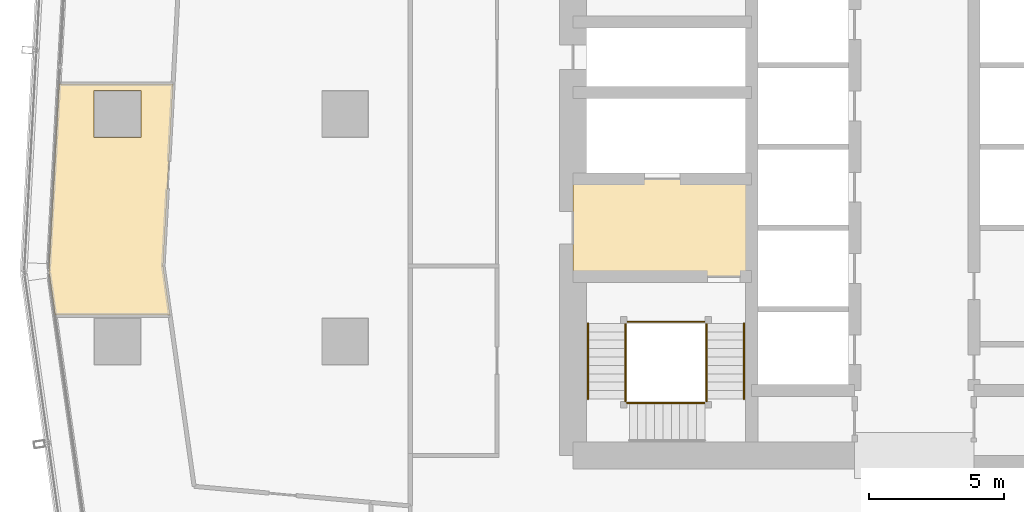
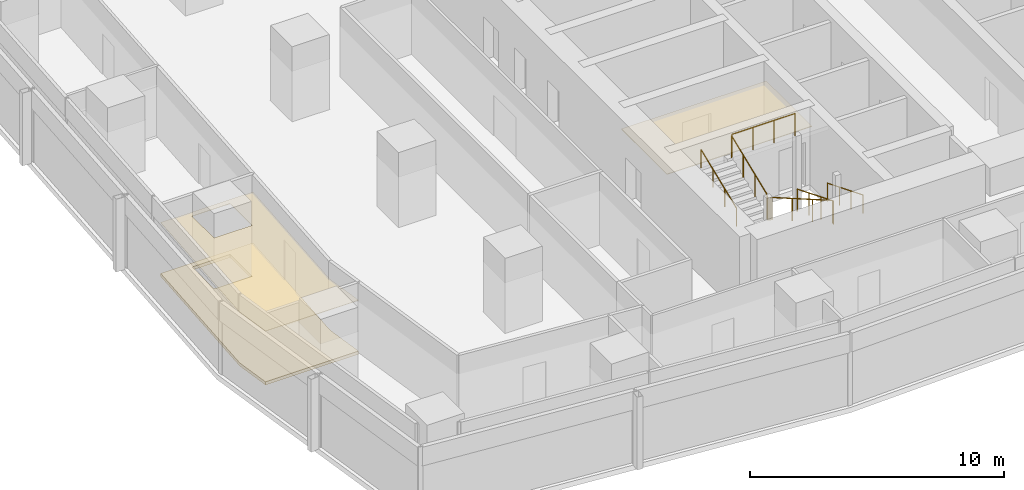
# One storey, part 34 of 40: 9 railings, 3 coverings.
"""IFC4 building model written with IfcOpenShell, lengths in metres."""

from ifc_helpers import new_model, si_unit, direction, frame, origin, origin_2d, place, context, subcontext, project, spatial, polyline, circle, outline, extrude, material, layer, layer_set, type_object, element, save


model = new_model("IFC4")

# Units and contexts
model_context = context("Model", 3, precision=1e-05, world=origin(), true_north=direction((0.0, 1.0)))
body_context = subcontext(model_context, "Body", "Model", "MODEL_VIEW")
ifc_project = project(units=[si_unit("LENGTHUNIT", "METRE"), si_unit("AREAUNIT", "SQUARE_METRE"), si_unit("VOLUMEUNIT", "CUBIC_METRE"), si_unit("PLANEANGLEUNIT", "RADIAN"), si_unit("MASSUNIT", "GRAM", prefix="KILO")], contexts=[model_context])

# Site, building, storey
site_placement = place(None, origin())
site = spatial("IfcSite", under=ifc_project, at=site_placement, CompositionType="ELEMENT")
building_placement = place(site_placement, origin())
building = spatial("IfcBuilding", under=site, at=building_placement, Name="Rekha Terrace Tower", CompositionType="ELEMENT")
storey_placement = place(building_placement, frame((0.0, 0.0, 129.050048828125)))
storey = spatial("IfcBuildingStorey", under=building, at=storey_placement, Name="L32", CompositionType="ELEMENT", Elevation=129.050048828125)

# Coverings
ifc_material_1 = material(Name="Mineral fibre tile in exposed grid", Category="finish")
ifc_layer_1 = layer(ifc_material_1, 0.02001953125)
ifc_layer_set_1 = layer_set([ifc_layer_1], Name="Mineral fibre tile in exposed grid")
covering_type_1 = type_object("IfcCoveringType", Name="CL1 600x1200 office grid ceiling", PredefinedType="CEILING", material=ifc_layer_set_1)
covering_1_placement = place(storey_placement, frame((0.0, 0.0, 2.579833984375)))
element("IfcCovering", 1, at=covering_1_placement, inside=storey, type_object=covering_type_1, Name="Ceiling L32-15", PredefinedType="CEILING", context=body_context, shape_type="SweptSolid", body=[
    extrude(outline(polyline([(10.080078125, 27.992919921875), (10.448974609375, 34.7109375), (6.241943359375, 34.7109375), (5.864013671875, 27.81298828125), (6.094970703125, 26.177001953125), (10.3359375, 26.177001953125), (10.080078125, 27.992919921875)]), holes=[polyline([(9.264892578125, 32.735107421875), (7.534912109375, 32.735107421875), (7.534912109375, 34.465087890625), (9.264892578125, 34.465087890625), (9.264892578125, 32.735107421875)])]), origin(), (0.0, 0.0, 1.0), 0.02001953125),
])
ifc_material_2 = material(Name="Powder-coated aluminium pan", Category="aluminium")
ifc_layer_2 = layer(ifc_material_2, 0.030029296875)
ifc_layer_set_2 = layer_set([ifc_layer_2], Name="Powder-coated aluminium pan")
covering_type_2 = type_object("IfcCoveringType", Name="CL3 300x1200 metal pan ceiling", PredefinedType="CEILING", material=ifc_layer_set_2)
covering_2_placement = place(storey_placement, frame((0.0, 0.0, 2.570068359375)))
element("IfcCovering", 2, at=covering_2_placement, inside=storey, type_object=covering_type_2, Name="Ceiling L32-FLB1", PredefinedType="CEILING", context=body_context, shape_type="SweptSolid", body=[
    extrude(outline(polyline([(31.800048828125, 31.199951171875), (25.199951171875, 31.199951171875), (25.199951171875, 27.60009765625), (31.800048828125, 27.60009765625), (31.800048828125, 31.199951171875)])), origin(), (0.0, 0.0, 1.0), 0.02978515625),
])

# Railings
ifc_material_3 = material(Name="Stainless steel balustrade", Category="steel")
railing_type_1 = type_object("IfcRailingType", Name="GR1 1100 stair guard", PredefinedType="GUARDRAIL", material=ifc_material_3)
railing_1_placement = place(storey_placement, frame((30.135009765625, 25.875, 0.125)))
element("IfcRailing", 3, at=railing_1_placement, inside=storey, type_object=railing_type_1, Name="Guard ST1 L32 flight 1", PredefinedType="GUARDRAIL", context=body_context, shape_type="SweptSolid", body=[
    extrude(circle(Radius=0.02392578125, at=origin_2d()), frame((0.0, 0.0, 1.076171875), z_axis=(0.0, -0.927443287984, 0.373963831907), x_axis=(1.0, 0.0, 0.0)), (0.0, 0.0, 1.0), 3.00830078125),
    extrude(circle(Radius=0.02099609375, at=origin_2d()), origin(), (0.0, 0.0, 1.0), 1.052001953125),
    extrude(circle(Radius=0.02099609375, at=origin_2d()), frame((0.0, -0.929931640625, 0.375)), (0.0, 0.0, 1.0), 1.052001953125),
    extrude(circle(Radius=0.02099609375, at=origin_2d()), frame((0.0, -1.860107421875, 0.75)), (0.0, 0.0, 1.0), 1.052001953125),
    extrude(circle(Radius=0.02099609375, at=origin_2d()), frame((0.0, -2.7900390625, 1.125)), (0.0, 0.0, 1.0), 1.052001953125),
])
railing_2_placement = place(storey_placement, frame((30.074951171875, 22.93994140625, 1.375)))
element("IfcRailing", 4, at=railing_2_placement, inside=storey, type_object=railing_type_1, Name="Guard ST1 L32 flight 2", PredefinedType="GUARDRAIL", context=body_context, shape_type="SweptSolid", body=[
    extrude(circle(Radius=0.02392578125, at=origin_2d()), frame((0.0, 0.0, 1.076171875), z_axis=(-0.927443287984, 0.0, 0.373963831907), x_axis=(0.0, -1.0, 0.0)), (0.0, 0.0, 1.0), 3.00830078125),
    extrude(circle(Radius=0.02099609375, at=origin_2d()), origin(), (0.0, 0.0, 1.0), 1.052001953125),
    extrude(circle(Radius=0.02099609375, at=origin_2d()), frame((-0.929931640625, 0.0, 0.375)), (0.0, 0.0, 1.0), 1.052001953125),
    extrude(circle(Radius=0.02099609375, at=origin_2d()), frame((-1.860107421875, 0.0, 0.75)), (0.0, 0.0, 1.0), 1.052001953125),
    extrude(circle(Radius=0.02099609375, at=origin_2d()), frame((-2.7900390625, 0.0, 1.125)), (0.0, 0.0, 1.0), 1.052001953125),
])
railing_3_placement = place(storey_placement, frame((27.139892578125, 23.0849609375, 2.625)))
element("IfcRailing", 5, at=railing_3_placement, inside=storey, type_object=railing_type_1, Name="Guard ST1 L32 flight 3", PredefinedType="GUARDRAIL", context=body_context, shape_type="SweptSolid", body=[
    extrude(circle(Radius=0.02392578125, at=origin_2d()), frame((0.0, 0.0, 1.076171875), z_axis=(0.0, 0.927443287984, 0.373963831907), x_axis=(-1.0, 0.0, 0.0)), (0.0, 0.0, 1.0), 3.00830078125),
    extrude(circle(Radius=0.02099609375, at=origin_2d()), origin(), (0.0, 0.0, 1.0), 1.052001953125),
    extrude(circle(Radius=0.02099609375, at=origin_2d()), frame((0.0, 0.929931640625, 0.375)), (0.0, 0.0, 1.0), 1.052001953125),
    extrude(circle(Radius=0.02099609375, at=origin_2d()), frame((0.0, 1.860107421875, 0.75)), (0.0, 0.0, 1.0), 1.052001953125),
    extrude(circle(Radius=0.02099609375, at=origin_2d()), frame((0.0, 2.7900390625, 1.125)), (0.0, 0.0, 1.0), 1.052001953125),
])
railing_4_placement = place(storey_placement, frame((30.135009765625, 23.0849609375, 1.25)))
element("IfcRailing", 6, at=railing_4_placement, inside=storey, type_object=railing_type_1, Name="Guard ST1 L32 landing 1", PredefinedType="GUARDRAIL", context=body_context, shape_type="SweptSolid", body=[
    extrude(circle(Radius=0.02392578125, at=origin_2d()), frame((0.0, 0.0, 1.076171875), z_axis=(0.0, -1.0, 0.0), x_axis=(1.0, 0.0, 0.0)), (0.0, 0.0, 1.0), 0.0849609375),
    extrude(circle(Radius=0.02099609375, at=origin_2d()), origin(), (0.0, 0.0, 1.0), 1.052001953125),
    extrude(circle(Radius=0.02099609375, at=origin_2d()), frame((0.0, -0.0849609375, 0.0)), (0.0, 0.0, 1.0), 1.052001953125),
])
railing_5_placement = place(storey_placement, frame((27.284912109375, 22.93994140625, 2.5)))
element("IfcRailing", 7, at=railing_5_placement, inside=storey, type_object=railing_type_1, Name="Guard ST1 L32 landing 2", PredefinedType="GUARDRAIL", context=body_context, shape_type="SweptSolid", body=[
    extrude(circle(Radius=0.02392578125, at=origin_2d()), frame((0.0, 0.0, 1.076171875), z_axis=(-1.0, 0.0, 0.0), x_axis=(0.0, -1.0, 0.0)), (0.0, 0.0, 1.0), 0.0849609375),
    extrude(circle(Radius=0.02099609375, at=origin_2d()), origin(), (0.0, 0.0, 1.0), 1.052001953125),
    extrude(circle(Radius=0.02099609375, at=origin_2d()), frame((-0.0849609375, 0.0, 0.0)), (0.0, 0.0, 1.0), 1.052001953125),
])
railing_6_placement = place(storey_placement, frame((27.139892578125, 23.0849609375, 2.5)))
element("IfcRailing", 8, at=railing_6_placement, inside=storey, type_object=railing_type_1, Name="Guard ST1 L32 landing 3", PredefinedType="GUARDRAIL", context=body_context, shape_type="SweptSolid", body=[
    extrude(circle(Radius=0.02392578125, at=origin_2d()), frame((0.0, 0.0, 1.076171875), z_axis=(0.0, -1.0, 0.0), x_axis=(1.0, 0.0, 0.0)), (0.0, 0.0, 1.0), 0.0849609375),
    extrude(circle(Radius=0.02099609375, at=origin_2d()), origin(), (0.0, 0.0, 1.0), 1.052001953125),
    extrude(circle(Radius=0.02099609375, at=origin_2d()), frame((0.0, -0.0849609375, 0.0)), (0.0, 0.0, 1.0), 1.052001953125),
])
railing_7_placement = place(storey_placement, frame((30.074951171875, 25.93505859375, 3.75)))
element("IfcRailing", 9, at=railing_7_placement, inside=storey, type_object=railing_type_1, Name="Guard ST1 L32 landing 4", PredefinedType="GUARDRAIL", context=body_context, shape_type="SweptSolid", body=[
    extrude(circle(Radius=0.02392578125, at=origin_2d()), frame((0.0, 0.0, 1.076171875), z_axis=(-1.0, 0.0, 0.0), x_axis=(0.0, -1.0, 0.0)), (0.0, 0.0, 1.0), 2.875),
    extrude(circle(Radius=0.02099609375, at=origin_2d()), origin(), (0.0, 0.0, 1.0), 1.052001953125),
    extrude(circle(Radius=0.02099609375, at=origin_2d()), frame((-0.958251953125, 0.0, 0.0)), (0.0, 0.0, 1.0), 1.052001953125),
    extrude(circle(Radius=0.02099609375, at=origin_2d()), frame((-1.916748046875, 0.0, 0.0)), (0.0, 0.0, 1.0), 1.052001953125),
    extrude(circle(Radius=0.02099609375, at=origin_2d()), frame((-2.875, 0.0, 0.0)), (0.0, 0.0, 1.0), 1.052001953125),
])
ifc_material_4 = material(Name="Stainless steel tube", Category="steel")
railing_type_2 = type_object("IfcRailingType", Name="HR1 900 stair handrail", PredefinedType="HANDRAIL", material=ifc_material_4)
railing_8_placement = place(storey_placement, frame((31.514892578125, 25.875, 0.125)))
element("IfcRailing", 10, at=railing_8_placement, inside=storey, type_object=railing_type_2, Name="Handrail ST1 L32 flight 1", PredefinedType="HANDRAIL", context=body_context, shape_type="SweptSolid", body=[
    extrude(circle(Radius=0.02392578125, at=origin_2d()), frame((0.0, 0.0, 0.8759765625), z_axis=(0.0, -0.927443287984, 0.373963831907), x_axis=(1.0, 0.0, 0.0)), (0.0, 0.0, 1.0), 3.00830078125),
    extrude(circle(Radius=0.02099609375, at=origin_2d()), origin(), (0.0, 0.0, 1.0), 0.851806640625),
    extrude(circle(Radius=0.02099609375, at=origin_2d()), frame((0.0, -0.929931640625, 0.375)), (0.0, 0.0, 1.0), 0.851806640625),
    extrude(circle(Radius=0.02099609375, at=origin_2d()), frame((0.0, -1.860107421875, 0.75)), (0.0, 0.0, 1.0), 0.851806640625),
    extrude(circle(Radius=0.02099609375, at=origin_2d()), frame((0.0, -2.7900390625, 1.125)), (0.0, 0.0, 1.0), 0.851806640625),
])
railing_9_placement = place(storey_placement, frame((25.760009765625, 23.0849609375, 2.625)))
element("IfcRailing", 11, at=railing_9_placement, inside=storey, type_object=railing_type_2, Name="Handrail ST1 L32 flight 3", PredefinedType="HANDRAIL", context=body_context, shape_type="SweptSolid", body=[
    extrude(circle(Radius=0.02392578125, at=origin_2d()), frame((0.0, 0.0, 0.8759765625), z_axis=(0.0, 0.927443287984, 0.373963831907), x_axis=(-1.0, 0.0, 0.0)), (0.0, 0.0, 1.0), 3.00830078125),
    extrude(circle(Radius=0.02099609375, at=origin_2d()), origin(), (0.0, 0.0, 1.0), 0.851806640625),
    extrude(circle(Radius=0.02099609375, at=origin_2d()), frame((0.0, 0.929931640625, 0.375)), (0.0, 0.0, 1.0), 0.851806640625),
    extrude(circle(Radius=0.02099609375, at=origin_2d()), frame((0.0, 1.860107421875, 0.75)), (0.0, 0.0, 1.0), 0.851806640625),
    extrude(circle(Radius=0.02099609375, at=origin_2d()), frame((0.0, 2.7900390625, 1.125)), (0.0, 0.0, 1.0), 0.851806640625),
])

# Covering
ifc_material_5 = material(Name="Calcium sulphate panels on steel pedestals", Category="steel")
ifc_layer_3 = layer(ifc_material_5, 0.14990234375)
ifc_layer_set_3 = layer_set([ifc_layer_3], Name="Calcium sulphate panels on steel pedestals")
covering_type_3 = type_object("IfcCoveringType", Name="RF1 150 raised access floor", PredefinedType="FLOORING", material=ifc_layer_set_3)
covering_3_placement = place(storey_placement, origin())
element("IfcCovering", 12, at=covering_3_placement, inside=storey, type_object=covering_type_3, Name="Raised floor L32-15", PredefinedType="FLOORING", context=body_context, shape_type="SweptSolid", body=[
    extrude(outline(polyline([(10.080078125, 27.992919921875), (10.448974609375, 34.7109375), (6.241943359375, 34.7109375), (5.864013671875, 27.81298828125), (6.094970703125, 26.177001953125), (10.3359375, 26.177001953125), (10.080078125, 27.992919921875)]), holes=[polyline([(9.264892578125, 32.735107421875), (7.534912109375, 32.735107421875), (7.534912109375, 34.465087890625), (9.264892578125, 34.465087890625), (9.264892578125, 32.735107421875)])]), origin(), (0.0, 0.0, 1.0), 0.14990234375),
])

save(model, "model.ifc")
